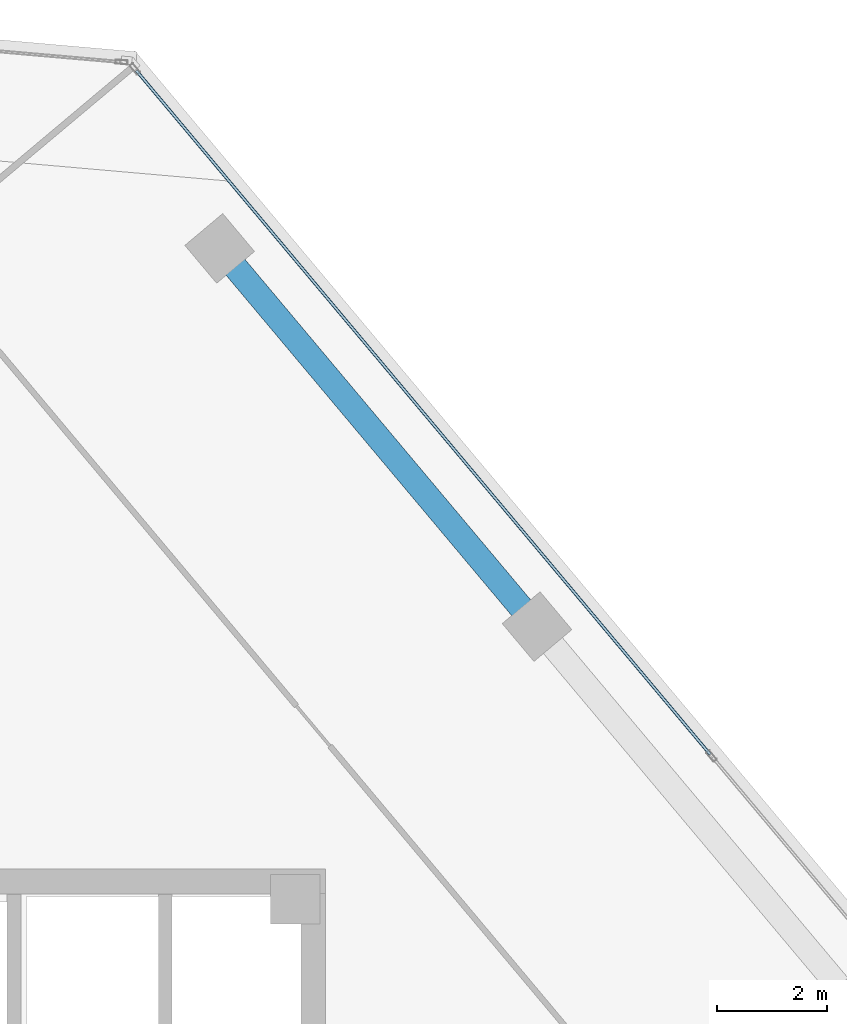
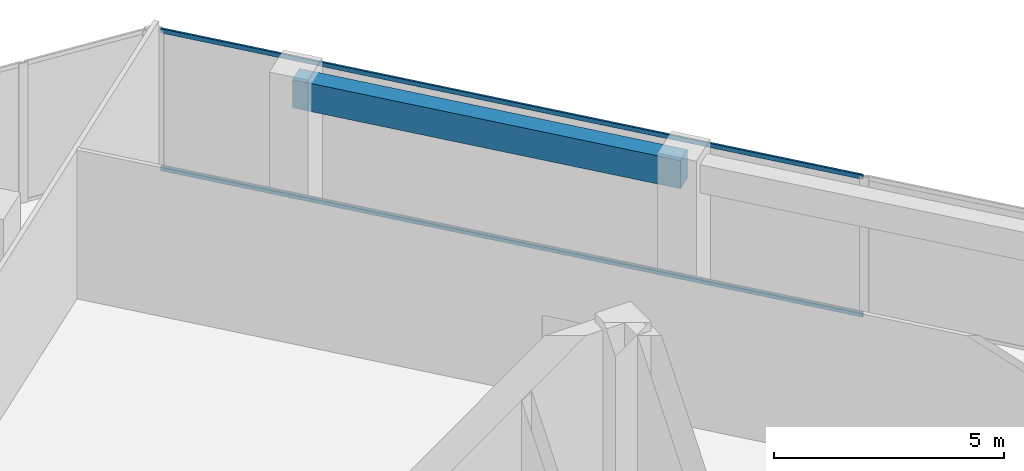
# One storey, part 9 of 17: 2 members, 1 beam, 1 element without a shape of its own.
"""IFC4 building model written with IfcOpenShell, lengths in metres."""

from ifc_helpers import new_model, si_unit, direction, frame, origin, origin_2d, place, context, subcontext, project, spatial, rectangle, hollow_rectangle, extrude, source, transform, mapped, material, material_profile, profile_set, type_object, element, aggregate, save


model = new_model("IFC4")

# Units and contexts
model_context = context("Model", 3, precision=1e-05, world=origin(), true_north=direction((0.0, 1.0)))
body_context = subcontext(model_context, "Body", "Model", "MODEL_VIEW")
ifc_project = project(units=[si_unit("LENGTHUNIT", "METRE"), si_unit("AREAUNIT", "SQUARE_METRE"), si_unit("VOLUMEUNIT", "CUBIC_METRE"), si_unit("PLANEANGLEUNIT", "RADIAN"), si_unit("MASSUNIT", "GRAM", prefix="KILO")], contexts=[model_context])

# Site, building, storey
site_placement = place(None, origin())
site = spatial("IfcSite", under=ifc_project, at=site_placement, CompositionType="ELEMENT")
building_placement = place(site_placement, origin())
building = spatial("IfcBuilding", under=site, at=building_placement, Name="Torre Montelarca", CompositionType="ELEMENT")
storey_placement = place(building_placement, frame((0.0, 0.0, 271.0)))
storey = spatial("IfcBuildingStorey", under=building, at=storey_placement, Name="L61", CompositionType="ELEMENT", Elevation=271.0)

# Beam
ifc_material_1 = material(Name="Concrete C55/67", Category="concrete")
ifc_material_profile_1 = material_profile(ifc_material_1, rectangle(XDim=0.449951171875, YDim=0.75, at=origin_2d()), Name="RCB450X750", Category="concrete")
ifc_profile_set_1 = profile_set([ifc_material_profile_1], Name="Concrete C55/67")
beam_type = type_object("IfcBeamType", Name="BM-SP-RC750-EXT", PredefinedType="SPANDREL", material=ifc_profile_set_1)
shared_shape_1 = source(origin(), body_context, "Body", "SweptSolid", [
    extrude(rectangle(XDim=0.449951171875, YDim=0.75, at=origin_2d()), origin(), (0.0, 0.0, 1.0), 8.999755859375),
])
beam_placement = place(storey_placement, frame((25.07080078125, 51.313720703125, 3.5849609375), z_axis=(0.642782285015, -0.766048911017, 0.0), x_axis=(0.766048911017, 0.642782285015, 0.0)))
element("IfcBeam", 1, at=beam_placement, inside=storey, type_object=beam_type, Name="L61 Grid Girder X 9.0-18.0 at Y=47.1", PredefinedType="SPANDREL", context=body_context, shape_type="MappedRepresentation", body=[
    mapped(shared_shape_1, transform((0.0, 0.0, 0.0), scale=1.0)),
])

# Curtain wall, members
ifc_material_2 = material(Name="Insulated low-E laminated glass", Category="glass")
curtain_wall_type = type_object("IfcCurtainWallType", Name="CW-SYS-Z3", PredefinedType="USERDEFINED", material=ifc_material_2)
curtain_wall_placement = place(storey_placement, origin())
curtain_wall = element("IfcCurtainWall", 2, at=curtain_wall_placement, inside=storey, type_object=curtain_wall_type, Name="L61 Curtain Wall Run CW-T3-L61-E08-B1", ObjectType="UNITISED GLAZING", PredefinedType="USERDEFINED")
ifc_material_3 = material(Name="Anodised aluminium AA 6063-T6", Category="aluminium")
ifc_material_profile_2 = material_profile(ifc_material_3, hollow_rectangle(XDim=0.054931640625, YDim=0.1201171875, WallThickness=0.00341796875, InnerFilletRadius=0.00341796875, OuterFilletRadius=0.007080078125, at=origin_2d()), Name="ALU55X120X3.5", Category="aluminium")
ifc_profile_set_2 = profile_set([ifc_material_profile_2], Name="Anodised aluminium AA 6063-T6")
member_type = type_object("IfcMemberType", Name="CWT-ALU120", PredefinedType="USERDEFINED", material=ifc_profile_set_2)
shared_shape_2 = source(origin(), body_context, "Body", "SweptSolid", [
    extrude(hollow_rectangle(XDim=0.054931640625, YDim=0.1201171875, WallThickness=0.00341796875, InnerFilletRadius=0.00341796875, OuterFilletRadius=0.007080078125, at=origin_2d()), origin(), (0.0, 0.0, 1.0), 16.271484375),
])
member_1_placement = place(storey_placement, frame((34.01123046875, 42.09033203125, 0.027587890625), z_axis=(-0.64279437467, 0.766038766573, 0.0), x_axis=(-0.766038766573, -0.64279437467, 0.0)))
member_1 = element("IfcMember", 3, at=member_1_placement, type_object=member_type, Name="CW transom 2.1", ObjectType="TRANSOM", PredefinedType="USERDEFINED", context=body_context, shape_type="MappedRepresentation", body=[
    mapped(shared_shape_2, transform((0.0, 0.0, 0.0), scale=1.0)),
])
member_2_placement = place(storey_placement, frame((34.01123046875, 42.09033203125, 3.6923828125), z_axis=(-0.64279437467, 0.766038766573, 0.0), x_axis=(-0.766038766573, -0.64279437467, 0.0)))
member_2 = element("IfcMember", 4, at=member_2_placement, type_object=member_type, Name="CW transom 2.2", ObjectType="TRANSOM", PredefinedType="USERDEFINED", context=body_context, shape_type="MappedRepresentation", body=[
    mapped(shared_shape_2, transform((0.0, 0.0, 0.0), scale=1.0)),
])
aggregate(curtain_wall, [member_1, member_2])

save(model, "model.ifc")
